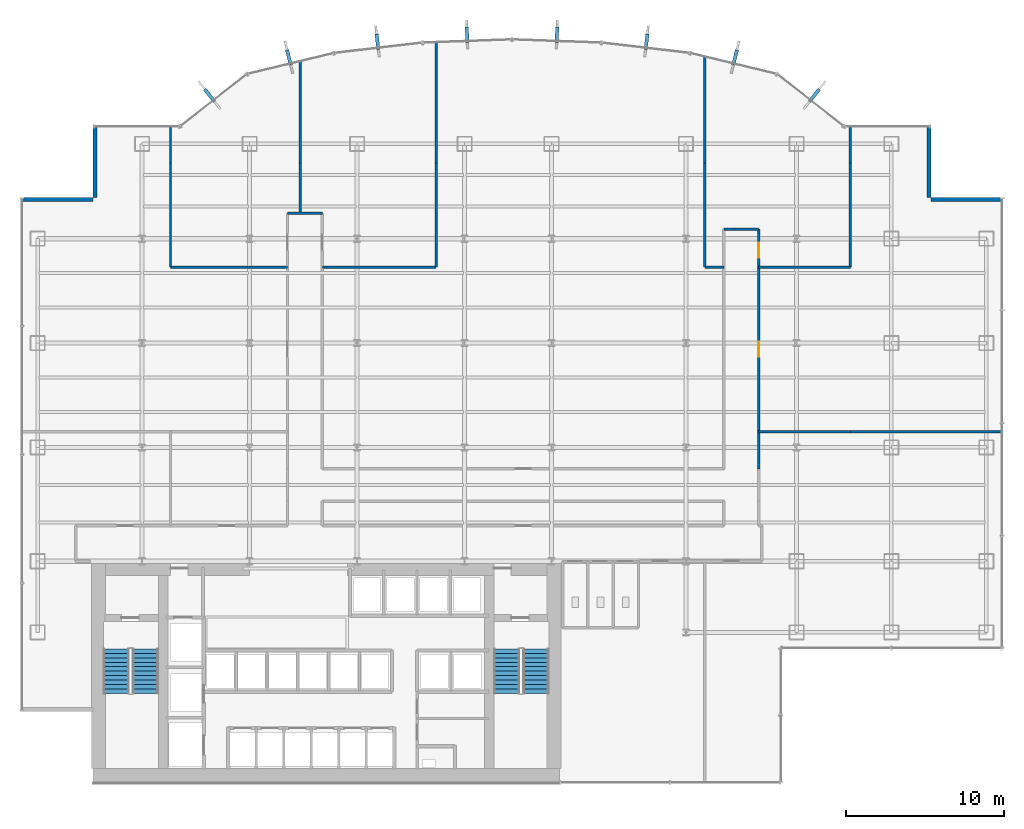
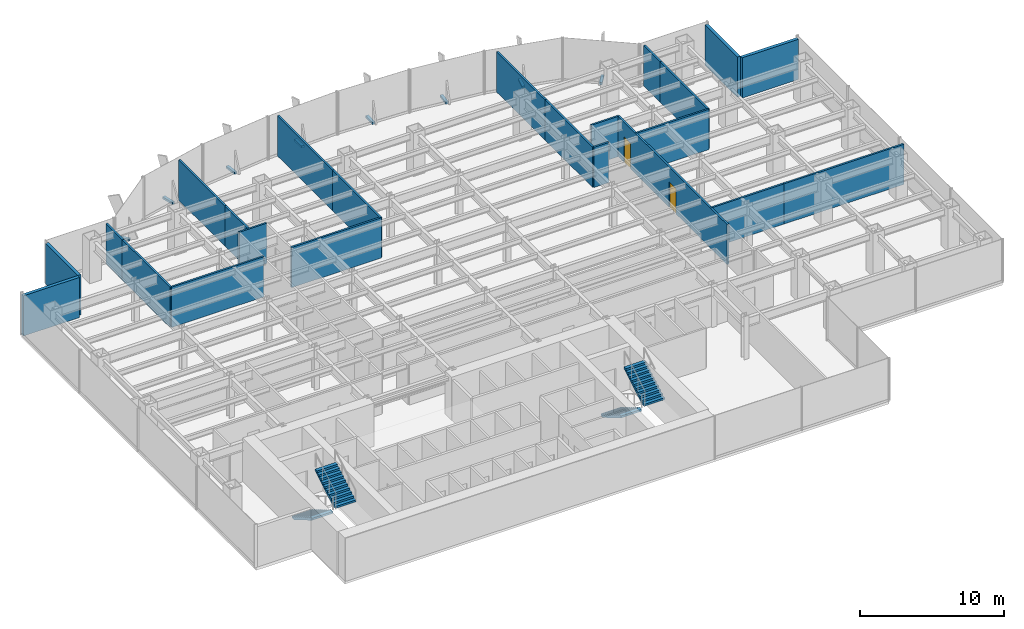
# One storey, part 19 of 22: 23 walls, 8 discrete accessories, 4 stair flights, 2 doors, 2 openings, 2 elements without a shape of their own.
"""IFC4 building model written with IfcOpenShell, lengths in metres."""

import ifcopenshell
import ifcopenshell.guid

model = None  # the IFC model being written
_history = None  # IfcOwnerHistory: only IFC2X3 demands one
_inside = {}  # id of a spatial element -> (the spatial element, [elements in it])
_under = {}  # id of a project, library or spatial element -> (it, [spatial elements below it])
_declared = {}  # id of a project -> (the project, [libraries it declares])
_typed = {}  # id of a type object -> (the type object, [elements of that type])
_made_of = {}  # id of a material, layer set ... -> (it, [elements and type objects made of it])


def new_model(schema):
    """Start an empty IFC model of exactly this schema.

    Asked for "IFC4X3", IfcOpenShell would pick the latest addendum, in which some entities
    have other attributes; the version numbers below select the first issue.
    IFC2X3 requires an IfcOwnerHistory on every rooted entity: one is made here for all.
    """
    global model, _history
    if schema == "IFC4X3":
        model = ifcopenshell.file(schema_version=(4, 3, 0, 0))
    else:
        model = ifcopenshell.file(schema=schema)
    _inside.clear()
    _under.clear()
    _declared.clear()
    _typed.clear()
    _made_of.clear()
    _history = None
    if model.schema == "IFC2X3":
        org = make("IfcOrganization", Name="unknown")
        user = make(
            "IfcPersonAndOrganization",
            ThePerson=make("IfcPerson", FamilyName="unknown"),
            TheOrganization=org,
        )
        app = make(
            "IfcApplication",
            ApplicationDeveloper=org,
            Version="unknown",
            ApplicationFullName="unknown",
            ApplicationIdentifier="unknown",
        )
        _history = make(
            "IfcOwnerHistory",
            OwningUser=user,
            OwningApplication=app,
            ChangeAction="ADDED",
            CreationDate=0,
        )
    return model


def make(cls, **values):
    """One entity of the class cls with the attributes given. An attribute that is None is left unset."""
    return model.create_entity(
        cls, **{name: value for name, value in values.items() if value is not None}
    )


def rooted(cls, **values):
    """An entity with a GlobalId (a new one), such as an element, a storey or a relation."""
    return make(cls, GlobalId=ifcopenshell.guid.new(), OwnerHistory=_history, **values)


def si_unit(unit_type, name, prefix=None):
    """IfcSIUnit, for example si_unit("LENGTHUNIT", "METRE", prefix="MILLI")."""
    return make("IfcSIUnit", UnitType=unit_type, Prefix=prefix, Name=name)


def derived_unit(unit_type, elements):
    """IfcDerivedUnit: a product of units, each with its exponent."""
    return make(
        "IfcDerivedUnit",
        Elements=[
            make("IfcDerivedUnitElement", Unit=unit, Exponent=power)
            for unit, power in elements
        ],
        UnitType=unit_type,
    )


def assignment(units):
    """IfcUnitAssignment: the units of a project."""
    return None if units is None else make("IfcUnitAssignment", Units=units)


def point(xyz):
    """IfcCartesianPoint."""
    return None if xyz is None else make("IfcCartesianPoint", Coordinates=xyz)


def direction(xyz):
    """IfcDirection."""
    return None if xyz is None else make("IfcDirection", DirectionRatios=xyz)


def frame(location, z_axis=None, x_axis=None):
    """IfcAxis2Placement3D, a coordinate frame: its origin and axes. An axis left out is left unset."""
    return make(
        "IfcAxis2Placement3D",
        Location=point(location),
        Axis=direction(z_axis),
        RefDirection=direction(x_axis),
    )


def frame_2d(location, x_axis=None):
    """IfcAxis2Placement2D, a coordinate frame in the plane: its origin and x axis."""
    return make(
        "IfcAxis2Placement2D", Location=point(location), RefDirection=direction(x_axis)
    )


def origin():
    """The frame at (0, 0, 0) with its axes left unset."""
    return frame((0.0, 0.0, 0.0))


def origin_2d():
    """The frame at (0, 0) in the plane with its x axis left unset."""
    return frame_2d((0.0, 0.0))


def place(relative_to, where):
    """IfcLocalPlacement: puts the frame where relative to a parent placement (None: the world)."""
    return make(
        "IfcLocalPlacement", PlacementRelTo=relative_to, RelativePlacement=where
    )


def context(
    kind, dimensions, precision=None, world=None, true_north=None, identifier=None
):
    """IfcGeometricRepresentationContext, for example the 3D "Model" context."""
    return make(
        "IfcGeometricRepresentationContext",
        ContextIdentifier=identifier,
        ContextType=kind,
        CoordinateSpaceDimension=dimensions,
        Precision=precision,
        WorldCoordinateSystem=world,
        TrueNorth=true_north,
    )


def subcontext(parent, identifier, kind, view, scale=None):
    """IfcGeometricRepresentationSubContext, for example "Body" below "Model"."""
    return make(
        "IfcGeometricRepresentationSubContext",
        ContextIdentifier=identifier,
        ContextType=kind,
        ParentContext=parent,
        TargetScale=scale,
        TargetView=view,
    )


def project(units=None, contexts=None):
    """IfcProject with its units and contexts."""
    return rooted(
        "IfcProject",
        Name="project",
        RepresentationContexts=contexts,
        UnitsInContext=assignment(units),
    )


def spatial(cls, under=None, at=None, **own):
    """A site, building, storey or space (cls), placed at a placement, below another one or the project."""
    s = rooted(cls, ObjectPlacement=at, **own)
    if under is not None:
        _under.setdefault(under.id(), (under, []))[1].append(s)
    return s


def polyline(points):
    """IfcPolyline through the points."""
    return make("IfcPolyline", Points=[point(p) for p in points])


def profile(cls, at=None, kind="AREA", **sizes):
    """A parametric profile (cls). Its sizes go by their IFC names, for example OverallWidth=200.0."""
    return make(cls, ProfileType=kind, Position=at, **sizes)


def rectangle(**sizes):
    """IfcRectangleProfileDef."""
    return profile("IfcRectangleProfileDef", **sizes)


def outline(outer, holes=None, kind="AREA"):
    """IfcArbitraryClosedProfileDef: a profile drawn as a closed curve; with holes, ...WithVoids."""
    if holes is None:
        return make("IfcArbitraryClosedProfileDef", ProfileType=kind, OuterCurve=outer)
    return make(
        "IfcArbitraryProfileDefWithVoids",
        ProfileType=kind,
        OuterCurve=outer,
        InnerCurves=holes,
    )


def extrude(swept, where, along, depth):
    """IfcExtrudedAreaSolid: the profile swept, set in the frame where, extruded along a direction by depth."""
    return make(
        "IfcExtrudedAreaSolid",
        SweptArea=swept,
        Position=where,
        ExtrudedDirection=direction(along),
        Depth=depth,
    )


def shape(context_of_items, identifier, shape_type, items):
    """IfcShapeRepresentation: the items that make up one representation, for example the "Body"."""
    return make(
        "IfcShapeRepresentation",
        ContextOfItems=context_of_items,
        RepresentationIdentifier=identifier,
        RepresentationType=shape_type,
        Items=items,
    )


def source(mapping_origin, context_of_items, identifier, shape_type, items):
    """IfcRepresentationMap: a shape defined once, which mapped items show again and again."""
    return make(
        "IfcRepresentationMap",
        MappingOrigin=mapping_origin,
        MappedRepresentation=shape(context_of_items, identifier, shape_type, items),
    )


def transform(
    local_origin,
    x_axis=None,
    y_axis=None,
    z_axis=None,
    scale=None,
    scale2=None,
    scale3=None,
    uniform=True,
):
    """IfcCartesianTransformationOperator3D, or its non-uniform kind. x_axis, y_axis, z_axis: its Axis1, 2, 3."""
    if uniform:
        return make(
            "IfcCartesianTransformationOperator3D",
            Axis1=direction(x_axis),
            Axis2=direction(y_axis),
            LocalOrigin=point(local_origin),
            Scale=scale,
            Axis3=direction(z_axis),
        )
    return make(
        "IfcCartesianTransformationOperator3DnonUniform",
        Axis1=direction(x_axis),
        Axis2=direction(y_axis),
        LocalOrigin=point(local_origin),
        Scale=scale,
        Axis3=direction(z_axis),
        Scale2=scale2,
        Scale3=scale3,
    )


def mapped(mapping_source, mapping_target):
    """IfcMappedItem: shows the shape of a source again, moved by a transform."""
    return make(
        "IfcMappedItem", MappingSource=mapping_source, MappingTarget=mapping_target
    )


def material(Name=None, Category=None):
    """IfcMaterial."""
    return make("IfcMaterial", Name=Name, Category=Category)


def layer(
    of_material, thickness, ventilated=None, Name=None, Category=None, Priority=None
):
    """IfcMaterialLayer: one layer of a wall or slab, of a material (None: an air gap)."""
    return make(
        "IfcMaterialLayer",
        Material=of_material,
        LayerThickness=thickness,
        IsVentilated=ventilated,
        Name=Name,
        Category=Category,
        Priority=Priority,
    )


def layer_set(layers, Name=None):
    """IfcMaterialLayerSet."""
    return make("IfcMaterialLayerSet", MaterialLayers=layers, LayerSetName=Name)


def made_of(thing, what):
    """Note that an element or type object is made of a material, layer set ...; save() writes the relation."""
    if what is not None:
        _made_of.setdefault(what.id(), (what, []))[1].append(thing)
    return thing


def type_object(cls, material=None, **own):
    """A type object (cls), such as IfcWallType, which elements share."""
    return made_of(rooted(cls, **own), material)


def element(
    cls,
    number,
    at=None,
    inside=None,
    cuts=None,
    type_object=None,
    material=None,
    context=None,
    identifier="Body",
    shape_type=None,
    held_by="IfcProductDefinitionShape",
    body=None,
    shapes=None,
    **own,
):
    """One element of the class cls, such as IfcWall. Its Tag is "e" and its number.

    at: its placement. inside: the storey or other place that contains it. cuts: it is an
    opening in that element (IfcRelVoidsElement). A single representation is given by context,
    identifier, shape_type and body (its items); several are given by shapes. held_by: the class
    of the entity that holds the representations. save() writes the other relations.
    """
    e = rooted(cls, Tag="e%d" % number, ObjectPlacement=at, **own)
    if body is not None:
        shapes = [shape(context, identifier, shape_type, body)]
    if shapes is not None:
        e.Representation = make(held_by, Representations=shapes)
    if inside is not None:
        _inside.setdefault(inside.id(), (inside, []))[1].append(e)
    if cuts is not None:
        rooted(
            "IfcRelVoidsElement", RelatingBuildingElement=cuts, RelatedOpeningElement=e
        )
    if type_object is not None:
        _typed.setdefault(type_object.id(), (type_object, []))[1].append(e)
    return made_of(e, material)


def fill(opening, filler):
    """IfcRelFillsElement: the door or window that sits in an opening."""
    return rooted(
        "IfcRelFillsElement",
        RelatingOpeningElement=opening,
        RelatedBuildingElement=filler,
    )


def aggregate(whole, parts):
    """IfcRelAggregates: a whole, such as a stair, and the parts it consists of."""
    return rooted("IfcRelAggregates", RelatingObject=whole, RelatedObjects=parts)


def save(model, path):
    """Write the relations noted so far, then the file.

    IfcRelAggregates (storeys below a building ...), IfcRelContainedInSpatialStructure (elements
    in a storey), IfcRelDefinesByType, IfcRelAssociatesMaterial and IfcRelDeclares: one each for
    every whole, place, type object, material and project.
    """
    for whole, parts in _under.values():
        aggregate(whole, parts)
    for where, things in _inside.values():
        rooted(
            "IfcRelContainedInSpatialStructure",
            RelatedElements=things,
            RelatingStructure=where,
        )
    for kind, things in _typed.values():
        rooted("IfcRelDefinesByType", RelatedObjects=things, RelatingType=kind)
    for what, things in _made_of.values():
        rooted("IfcRelAssociatesMaterial", RelatedObjects=things, RelatingMaterial=what)
    for by, libraries in _declared.values():
        rooted("IfcRelDeclares", RelatingContext=by, RelatedDefinitions=libraries)
    model.write(path)


model = new_model("IFC4")

# Units and contexts
model_context = context("Model", 3, precision=1e-05, world=origin(), true_north=direction((0.0, 1.0)))
body_context = subcontext(model_context, "Body", "Model", "MODEL_VIEW")
ifc_project = project(units=[si_unit("LENGTHUNIT", "METRE"), si_unit("AREAUNIT", "SQUARE_METRE"), si_unit("VOLUMEUNIT", "CUBIC_METRE"), si_unit("PLANEANGLEUNIT", "RADIAN"), si_unit("MASSUNIT", "GRAM", prefix="KILO"), derived_unit("THERMALTRANSMITTANCEUNIT", [(si_unit("POWERUNIT", "WATT"), 1), (si_unit("LENGTHUNIT", "METRE"), -2), (si_unit("THERMODYNAMICTEMPERATUREUNIT", "KELVIN"), -1)])], contexts=[model_context])

# Site, building, storey
site_placement = place(None, origin())
site = spatial("IfcSite", under=ifc_project, at=site_placement, CompositionType="ELEMENT")
building_placement = place(site_placement, origin())
building = spatial("IfcBuilding", under=site, at=building_placement, Name="Skarnbrae Concourse Arena and Tower", CompositionType="ELEMENT")
storey_placement = place(building_placement, frame((0.0, 0.0, 39.800048828125)))
storey = spatial("IfcBuildingStorey", under=building, at=storey_placement, Name="L08", CompositionType="ELEMENT", Elevation=39.800048828125)

# Walls
ifc_material_1 = material(Name="Precast concrete 40 MPa (C40/50)", Category="concrete")
ifc_layer_1 = layer(ifc_material_1, 0.25)
ifc_layer_set_1 = layer_set([ifc_layer_1], Name="Precast concrete 40 MPa (C40/50)")
wall_type_1 = type_object("IfcWallType", Name="WALL-EXT-SPANDREL-250", PredefinedType="STANDARD", material=ifc_layer_set_1)
shared_shape_1 = source(origin(), body_context, "Body", "SweptSolid", [
    extrude(rectangle(XDim=4.5, YDim=0.25, at=frame_2d((2.25, 0.0))), origin(), (0.0, 0.0, 1.0), 3.39990234375),
])
for number, where, z_axis, x_axis, name in (
    (1, (62.0, 36.875, 0.0), (0.0, 0.0, 1.0), (-1.0, 0.0, 0.0), "L08 Notched corner insulated return wall 05"),
    (2, (57.375, 37.0, 0.0), (0.0, 0.0, 1.0), (0.0, 1.0, 0.0), "L08 Notched corner insulated return wall 06"),
    (3, (4.625, 41.5, 0.0), (0.0, 0.0, 1.0), (0.0, -1.0, 0.0), "L08 Notched corner insulated return wall 17"),
    (4, (4.5, 36.875, 0.0), (0.0, 0.0, 1.0), (-1.0, 0.0, 0.0), "L08 Notched corner insulated return wall 18"),
):
    element("IfcWall", number, at=place(storey_placement, frame(where, z_axis=z_axis, x_axis=x_axis)), inside=storey, type_object=wall_type_1, Name=name, PredefinedType="STANDARD", context=body_context, shape_type="MappedRepresentation", body=[
        mapped(shared_shape_1, transform((0.0, 0.0, 0.0))),
    ])
ifc_material_2 = material(Name="Gypsum board on cold-formed steel studs", Category="steel")
ifc_layer_2 = layer(ifc_material_2, 0.14990234375)
ifc_layer_set_2 = layer_set([ifc_layer_2], Name="Gypsum board on cold-formed steel studs")
wall_type_2 = type_object("IfcWallType", Name="WALL-PART-150-1HR", PredefinedType="PARTITIONING", material=ifc_layer_set_2)
shared_shape_2 = source(origin(), body_context, "Body", "SweptSolid", [
    extrude(rectangle(XDim=2.2001953125, YDim=0.14990234375, at=frame_2d((1.10009765625, 0.0))), origin(), (0.0, 0.0, 1.0), 3.39990234375),
])
wall_1_placement = place(storey_placement, frame((44.39990234375, 35.0, 0.0), z_axis=(0.0, 0.0, 1.0), x_axis=(1.0, 0.0, 0.0)))
element("IfcWall", 5, at=wall_1_placement, inside=storey, type_object=wall_type_2, Name="L08 Interior partition wall W-L08-COR-11", PredefinedType="PARTITIONING", context=body_context, shape_type="MappedRepresentation", body=[
    mapped(shared_shape_2, transform((0.0, 0.0, 0.0))),
])
shared_shape_3 = source(origin(), body_context, "Body", "SweptSolid", [
    extrude(rectangle(XDim=2.199951171875, YDim=0.14990234375, at=frame_2d((1.10009765625, 0.0))), origin(), (0.0, 0.0, 1.0), 3.39990234375),
])
wall_2_placement = place(storey_placement, frame((16.800048828125, 36.0, 0.0), z_axis=(0.0, 0.0, 1.0), x_axis=(1.0, 0.0, 0.0)))
element("IfcWall", 6, at=wall_2_placement, inside=storey, type_object=wall_type_2, Name="L08 Interior partition wall W-L08-COR-07", PredefinedType="PARTITIONING", context=body_context, shape_type="MappedRepresentation", body=[
    mapped(shared_shape_3, transform((0.0, 0.0, 0.0))),
])

# Wall, openings, doors
shared_shape_4 = source(origin(), body_context, "Body", "SweptSolid", [
    extrude(rectangle(XDim=15.14990234375, YDim=0.14990234375, at=frame_2d((7.574951171875, 0.0))), origin(), (0.0, 0.0, 1.0), 3.39990234375),
])
wall_3_placement = place(storey_placement, frame((46.60009765625, 35.0, 0.0), z_axis=(0.0, 0.0, 1.0), x_axis=(0.0, -1.0, 0.0)))
wall_3 = element("IfcWall", 7, at=wall_3_placement, inside=storey, type_object=wall_type_2, Name="L08 Interior partition wall W-L08-COR-12", PredefinedType="PARTITIONING", context=body_context, shape_type="MappedRepresentation", body=[
    mapped(shared_shape_4, transform((0.0, 0.0, 0.0))),
])
opening_1_placement = place(wall_3_placement, frame((0.85498046875, 0.0, 0.0)))
opening_1 = element("IfcOpeningElement", 8, at=opening_1_placement, cuts=wall_3, Name="Opening DT-04", PredefinedType="OPENING", context=body_context, shape_type="SweptSolid", body=[
    extrude(rectangle(XDim=0.949951171875, YDim=2.14990234375, at=frame_2d((0.47509765625, 1.074951171875))), frame((0.0, 0.0849609375, 0.0), z_axis=(0.0, -1.0, 0.0), x_axis=(1.0, 0.0, 0.0)), (0.0, 0.0, 1.0), 0.169921875),
])
opening_2_placement = place(wall_3_placement, frame((7.125, 0.0, 0.0)))
opening_2 = element("IfcOpeningElement", 9, at=opening_2_placement, cuts=wall_3, Name="Opening DT-04", PredefinedType="OPENING", context=body_context, shape_type="SweptSolid", body=[
    extrude(rectangle(XDim=0.949951171875, YDim=2.14990234375, at=frame_2d((0.47509765625, 1.074951171875))), frame((0.0, 0.0849609375, 0.0), z_axis=(0.0, -1.0, 0.0), x_axis=(1.0, 0.0, 0.0)), (0.0, 0.0, 1.0), 0.169921875),
])
ifc_material_3 = material(Name="Steel CSA G40.21 350W", Category="steel")
door_type = type_object("IfcDoorType", Name="DOOR-INT-950-45M", OperationType="NOTDEFINED", PredefinedType="DOOR", material=ifc_material_3)
shared_shape_5 = source(origin(), body_context, "Body", "SweptSolid", [
    extrude(rectangle(XDim=0.949951171875, YDim=2.14990234375, at=frame_2d((0.47509765625, 1.074951171875))), frame((0.0, 0.02490234375, 0.0), z_axis=(0.0, -1.0, 0.0), x_axis=(1.0, 0.0, 0.0)), (0.0, 0.0, 1.0), 0.050048828125),
])
door_1_placement = place(opening_1_placement, origin())
door_1 = element("IfcDoor", 10, at=door_1_placement, inside=storey, type_object=door_type, Name="D-0410 L08 Suite Door 09", OperationType="SINGLE_SWING_RIGHT", OverallHeight=2.14990234375, OverallWidth=0.949951171875, PredefinedType="DOOR", context=body_context, shape_type="MappedRepresentation", body=[
    mapped(shared_shape_5, transform((0.0, 0.0, 0.0))),
])
fill(opening_1, door_1)
door_2_placement = place(opening_2_placement, origin())
door_2 = element("IfcDoor", 11, at=door_2_placement, inside=storey, type_object=door_type, Name="D-0412 L08 Suite Door 11", OperationType="SINGLE_SWING_RIGHT", OverallHeight=2.14990234375, OverallWidth=0.949951171875, PredefinedType="DOOR", context=body_context, shape_type="MappedRepresentation", body=[
    mapped(shared_shape_5, transform((0.0, 0.0, 0.0))),
])
fill(opening_2, door_2)

# Walls
ifc_layer_3 = layer(ifc_material_2, 0.14990234375)
ifc_layer_set_3 = layer_set([ifc_layer_3], Name="Gypsum board on cold-formed steel studs")
wall_type_3 = type_object("IfcWallType", Name="WALL-PART-150", PredefinedType="PARTITIONING", material=ifc_layer_set_3)
shared_shape_6 = source(origin(), body_context, "Body", "SweptSolid", [
    extrude(rectangle(XDim=7.400146484375, YDim=0.14990234375, at=frame_2d((3.7001953125, 0.0))), origin(), (0.0, 0.0, 1.0), 3.39990234375),
])
wall_4_placement = place(storey_placement, frame((9.39990234375, 32.60009765625, 0.0), z_axis=(0.0, 0.0, 1.0), x_axis=(1.0, 0.0, 0.0)))
element("IfcWall", 12, at=wall_4_placement, inside=storey, type_object=wall_type_3, Name="L08 Interior partition wall W-L08-DEM-27", PredefinedType="PARTITIONING", context=body_context, shape_type="MappedRepresentation", body=[
    mapped(shared_shape_6, transform((0.0, 0.0, 0.0))),
])
shared_shape_7 = source(origin(), body_context, "Body", "SweptSolid", [
    extrude(rectangle(XDim=2.280029296875, YDim=0.14990234375, at=frame_2d((1.14013671875, 0.0))), origin(), (0.0, 0.0, 1.0), 3.39990234375),
])
for number, where, z_axis, x_axis, name in (
    (13, (9.39990234375, 41.47998046875, 0.0), (0.0, 0.0, 1.0), (0.0, -1.0, 0.0), "L08 Interior partition wall W-L08-DEM-25"),
    (14, (52.39990234375, 41.47998046875, 0.0), (0.0, 0.0, 1.0), (0.0, -1.0, 0.0), "L08 Interior partition wall W-L08-DEM-39"),
):
    element("IfcWall", number, at=place(storey_placement, frame(where, z_axis=z_axis, x_axis=x_axis)), inside=storey, type_object=wall_type_3, Name=name, PredefinedType="PARTITIONING", context=body_context, shape_type="MappedRepresentation", body=[
        mapped(shared_shape_7, transform((0.0, 0.0, 0.0))),
    ])
shared_shape_8 = source(origin(), body_context, "Body", "SweptSolid", [
    extrude(rectangle(XDim=6.599853515625, YDim=0.14990234375, at=frame_2d((3.2998046875, 0.0))), origin(), (0.0, 0.0, 1.0), 3.39990234375),
])
for number, where, z_axis, x_axis, name in (
    (15, (9.39990234375, 39.199951171875, 0.0), (0.0, 0.0, 1.0), (0.0, -1.0, 0.0), "L08 Interior partition wall W-L08-DEM-26"),
    (16, (26.199951171875, 39.199951171875, 0.0), (0.0, 0.0, 1.0), (0.0, -1.0, 0.0), "L08 Interior partition wall W-L08-DEM-31"),
    (17, (43.199951171875, 39.199951171875, 0.0), (0.0, 0.0, 1.0), (0.0, -1.0, 0.0), "L08 Interior partition wall W-L08-DEM-35"),
    (18, (52.39990234375, 39.199951171875, 0.0), (0.0, 0.0, 1.0), (0.0, -1.0, 0.0), "L08 Interior partition wall W-L08-DEM-40"),
):
    element("IfcWall", number, at=place(storey_placement, frame(where, z_axis=z_axis, x_axis=x_axis)), inside=storey, type_object=wall_type_3, Name=name, PredefinedType="PARTITIONING", context=body_context, shape_type="MappedRepresentation", body=[
        mapped(shared_shape_8, transform((0.0, 0.0, 0.0))),
    ])
shared_shape_9 = source(origin(), body_context, "Body", "SweptSolid", [
    extrude(rectangle(XDim=6.4052734375, YDim=0.14990234375, at=frame_2d((3.20263671875, 0.0))), origin(), (0.0, 0.0, 1.0), 3.39990234375),
])
wall_5_placement = place(storey_placement, frame((17.60009765625, 45.605224609375, 0.0), z_axis=(0.0, 0.0, 1.0), x_axis=(0.0, -1.0, 0.0)))
element("IfcWall", 19, at=wall_5_placement, inside=storey, type_object=wall_type_3, Name="L08 Interior partition wall W-L08-DEM-28", PredefinedType="PARTITIONING", context=body_context, shape_type="MappedRepresentation", body=[
    mapped(shared_shape_9, transform((0.0, 0.0, 0.0))),
])
shared_shape_10 = source(origin(), body_context, "Body", "SweptSolid", [
    extrude(rectangle(XDim=3.199951171875, YDim=0.14990234375, at=frame_2d((1.60009765625, 0.0))), origin(), (0.0, 0.0, 1.0), 3.39990234375),
])
wall_6_placement = place(storey_placement, frame((17.60009765625, 39.199951171875, 0.0), z_axis=(0.0, 0.0, 1.0), x_axis=(0.0, -1.0, 0.0)))
element("IfcWall", 20, at=wall_6_placement, inside=storey, type_object=wall_type_3, Name="L08 Interior partition wall W-L08-DEM-29", PredefinedType="PARTITIONING", context=body_context, shape_type="MappedRepresentation", body=[
    mapped(shared_shape_10, transform((0.0, 0.0, 0.0))),
])
shared_shape_11 = source(origin(), body_context, "Body", "SweptSolid", [
    extrude(rectangle(XDim=7.607666015625, YDim=0.14990234375, at=frame_2d((3.8037109375, 0.0))), origin(), (0.0, 0.0, 1.0), 3.39990234375),
])
wall_7_placement = place(storey_placement, frame((26.199951171875, 46.8076171875, 0.0), z_axis=(0.0, 0.0, 1.0), x_axis=(0.0, -1.0, 0.0)))
element("IfcWall", 21, at=wall_7_placement, inside=storey, type_object=wall_type_3, Name="L08 Interior partition wall W-L08-DEM-30", PredefinedType="PARTITIONING", context=body_context, shape_type="MappedRepresentation", body=[
    mapped(shared_shape_11, transform((0.0, 0.0, 0.0))),
])
shared_shape_12 = source(origin(), body_context, "Body", "SweptSolid", [
    extrude(rectangle(XDim=7.199951171875, YDim=0.14990234375, at=frame_2d((3.60009765625, 0.0))), origin(), (0.0, 0.0, 1.0), 3.39990234375),
])
wall_8_placement = place(storey_placement, frame((26.199951171875, 32.60009765625, 0.0), z_axis=(0.0, 0.0, 1.0), x_axis=(-1.0, 0.0, 0.0)))
element("IfcWall", 22, at=wall_8_placement, inside=storey, type_object=wall_type_3, Name="L08 Interior partition wall W-L08-DEM-32", PredefinedType="PARTITIONING", context=body_context, shape_type="MappedRepresentation", body=[
    mapped(shared_shape_12, transform((0.0, 0.0, 0.0))),
])
shared_shape_13 = source(origin(), body_context, "Body", "SweptSolid", [
    extrude(rectangle(XDim=6.695556640625, YDim=0.14990234375, at=frame_2d((3.34765625, 0.0))), origin(), (0.0, 0.0, 1.0), 3.39990234375),
])
wall_9_placement = place(storey_placement, frame((43.199951171875, 45.8955078125, 0.0), z_axis=(0.0, 0.0, 1.0), x_axis=(0.0, -1.0, 0.0)))
element("IfcWall", 23, at=wall_9_placement, inside=storey, type_object=wall_type_3, Name="L08 Interior partition wall W-L08-DEM-34", PredefinedType="PARTITIONING", context=body_context, shape_type="MappedRepresentation", body=[
    mapped(shared_shape_13, transform((0.0, 0.0, 0.0))),
])
shared_shape_14 = source(origin(), body_context, "Body", "SweptSolid", [
    extrude(rectangle(XDim=1.199951171875, YDim=0.14990234375, at=frame_2d((0.60009765625, 0.0))), origin(), (0.0, 0.0, 1.0), 3.39990234375),
])
wall_10_placement = place(storey_placement, frame((43.199951171875, 32.60009765625, 0.0), z_axis=(0.0, 0.0, 1.0), x_axis=(1.0, 0.0, 0.0)))
element("IfcWall", 24, at=wall_10_placement, inside=storey, type_object=wall_type_3, Name="L08 Interior partition wall W-L08-DEM-36", PredefinedType="PARTITIONING", context=body_context, shape_type="MappedRepresentation", body=[
    mapped(shared_shape_14, transform((0.0, 0.0, 0.0))),
])
shared_shape_15 = source(origin(), body_context, "Body", "SweptSolid", [
    extrude(rectangle(XDim=5.7998046875, YDim=0.14990234375, at=frame_2d((2.89990234375, 0.0))), origin(), (0.0, 0.0, 1.0), 3.39990234375),
])
for number, where, z_axis, x_axis, name in (
    (25, (46.60009765625, 22.199951171875, 0.0), (0.0, 0.0, 1.0), (1.0, 0.0, 0.0), "L08 Interior partition wall W-L08-DEM-37"),
    (26, (52.39990234375, 32.60009765625, 0.0), (0.0, 0.0, 1.0), (-1.0, 0.0, 0.0), "L08 Interior partition wall W-L08-DEM-41"),
):
    element("IfcWall", number, at=place(storey_placement, frame(where, z_axis=z_axis, x_axis=x_axis)), inside=storey, type_object=wall_type_3, Name=name, PredefinedType="PARTITIONING", context=body_context, shape_type="MappedRepresentation", body=[
        mapped(shared_shape_15, transform((0.0, 0.0, 0.0))),
    ])
shared_shape_16 = source(origin(), body_context, "Body", "SweptSolid", [
    extrude(rectangle(XDim=9.580078125, YDim=0.14990234375, at=frame_2d((4.7900390625, 0.0))), origin(), (0.0, 0.0, 1.0), 3.39990234375),
])
wall_11_placement = place(storey_placement, frame((52.39990234375, 22.199951171875, 0.0), z_axis=(0.0, 0.0, 1.0), x_axis=(1.0, 0.0, 0.0)))
element("IfcWall", 27, at=wall_11_placement, inside=storey, type_object=wall_type_3, Name="L08 Interior partition wall W-L08-DEM-38", PredefinedType="PARTITIONING", context=body_context, shape_type="MappedRepresentation", body=[
    mapped(shared_shape_16, transform((0.0, 0.0, 0.0))),
])

# Stair, stair flights
ifc_material_4 = material(Name="Concrete 40 MPa (C40/50)", Category="concrete")
stair_type = type_object("IfcStairType", Name="STAIR-DOGLEG-1650", PredefinedType="HALF_TURN_STAIR", material=ifc_material_4)
stair_1_placement = place(storey_placement, origin())
stair_1 = element("IfcStair", 28, at=stair_1_placement, inside=storey, type_object=stair_type, Name="L08 Protected Exit Stair ST-1", PredefinedType="HALF_TURN_STAIR")
stair_flight_type = type_object("IfcStairFlightType", Name="FLIGHT-STRAIGHT-1650", PredefinedType="STRAIGHT", material=ifc_material_4)
shared_shape_17 = source(origin(), body_context, "Body", "SweptSolid", [
    extrude(outline(polyline([(0.0, 0.0), (0.0, 0.166015625), (0.280029296875, 0.166015625), (0.280029296875, 0.331787109375), (0.56005859375, 0.331787109375), (0.56005859375, 0.497802734375), (0.840087890625, 0.497802734375), (0.840087890625, 0.66357421875), (1.1201171875, 0.66357421875), (1.1201171875, 0.82958984375), (1.39990234375, 0.82958984375), (1.39990234375, 0.995361328125), (1.679931640625, 0.995361328125), (1.679931640625, 1.161376953125), (1.9599609375, 1.161376953125), (1.9599609375, 1.327392578125), (2.239990234375, 1.327392578125), (2.239990234375, 1.4931640625), (2.52001953125, 1.4931640625), (2.52001953125, 1.6591796875), (2.800048828125, 1.6591796875), (2.800048828125, 1.824951171875), (2.800048828125, 1.48486328125), (0.2939453125, 0.0), (0.0, 0.0)])), frame((0.0, 0.824951171875, 0.0), z_axis=(0.0, -1.0, 0.0), x_axis=(1.0, 0.0, 0.0)), (0.0, 0.0, 1.0), 1.64990234375),
])
stair_flight_1_placement = place(storey_placement, frame((5.97509765625, 8.449951171875, 0.0), z_axis=(0.0, 0.0, 1.0), x_axis=(0.0, -1.0, 0.0)))
stair_flight_1 = element("IfcStairFlight", 29, at=stair_flight_1_placement, type_object=stair_flight_type, Name="ST-1 flight 1", NumberOfRisers=11, NumberOfTreads=10, PredefinedType="STRAIGHT", RiserHeight=0.165909091, TreadLength=0.28, context=body_context, shape_type="MappedRepresentation", body=[
    mapped(shared_shape_17, transform((0.0, 0.0, 0.0))),
])
stair_flight_2_placement = place(storey_placement, frame((7.824951171875, 5.64990234375, 1.824951171875), z_axis=(0.0, 0.0, 1.0), x_axis=(0.0, 1.0, 0.0)))
stair_flight_2 = element("IfcStairFlight", 30, at=stair_flight_2_placement, type_object=stair_flight_type, Name="ST-1 flight 2", NumberOfRisers=11, NumberOfTreads=10, PredefinedType="STRAIGHT", RiserHeight=0.165909091, TreadLength=0.28, context=body_context, shape_type="MappedRepresentation", body=[
    mapped(shared_shape_17, transform((0.0, 0.0, 0.0))),
])
aggregate(stair_1, [stair_flight_1, stair_flight_2])

stair_2_placement = place(storey_placement, origin())
stair_2 = element("IfcStair", 31, at=stair_2_placement, inside=storey, type_object=stair_type, Name="L08 Protected Exit Stair ST-2", PredefinedType="HALF_TURN_STAIR")
stair_flight_3_placement = place(storey_placement, frame((30.675048828125, 8.449951171875, 0.0), z_axis=(0.0, 0.0, 1.0), x_axis=(0.0, -1.0, 0.0)))
stair_flight_3 = element("IfcStairFlight", 32, at=stair_flight_3_placement, type_object=stair_flight_type, Name="ST-2 flight 1", NumberOfRisers=11, NumberOfTreads=10, PredefinedType="STRAIGHT", RiserHeight=0.165909091, TreadLength=0.28, context=body_context, shape_type="MappedRepresentation", body=[
    mapped(shared_shape_17, transform((0.0, 0.0, 0.0))),
])
stair_flight_4_placement = place(storey_placement, frame((32.52490234375, 5.64990234375, 1.824951171875), z_axis=(0.0, 0.0, 1.0), x_axis=(0.0, 1.0, 0.0)))
stair_flight_4 = element("IfcStairFlight", 33, at=stair_flight_4_placement, type_object=stair_flight_type, Name="ST-2 flight 2", NumberOfRisers=11, NumberOfTreads=10, PredefinedType="STRAIGHT", RiserHeight=0.165909091, TreadLength=0.28, context=body_context, shape_type="MappedRepresentation", body=[
    mapped(shared_shape_17, transform((0.0, 0.0, 0.0))),
])
aggregate(stair_2, [stair_flight_3, stair_flight_4])

# Discrete accessories
ifc_material_5 = material(Name="Bronze anodised aluminium 6063-T6", Category="aluminium")
discrete_accessory_type = type_object("IfcDiscreteAccessoryType", Name="ACC-FIN-BRACKET", PredefinedType="BRACKET", material=ifc_material_5)
shared_shape_18 = source(origin(), body_context, "Body", "SweptSolid", [
    extrude(rectangle(XDim=0.219970703125, YDim=0.97998046875, at=origin_2d()), origin(), (0.0, 0.0, 1.0), 0.179931640625),
])
for number, where, z_axis, x_axis, name in (
    (34, (50.129638671875, 43.470947265625, -0.02978515625), (0.0, 0.0, 1.0), (0.787656027369, -0.616115234797, 0.0), "L08 Bronze fin foot support bracket 08"),
    (35, (45.11328125, 45.864990234375, -0.02978515625), (0.0, 0.0, 1.0), (0.971973311258, -0.235091221021, 0.0), "L08 Bronze fin foot support bracket 09"),
    (36, (39.509521484375, 46.865966796875, -0.02978515625), (0.0, 0.0, 1.0), (0.993243759876, -0.116046686587, 0.0), "L08 Bronze fin foot support bracket 10"),
    (37, (33.84130859375, 47.298095703125, -0.02978515625), (0.0, 0.0, 1.0), (0.999355613141, -0.035893710914, 0.0), "L08 Bronze fin foot support bracket 11"),
    (38, (28.15869140625, 47.298095703125, -0.02978515625), (0.0, 0.0, 1.0), (0.999355613141, 0.035893710914, 0.0), "L08 Bronze fin foot support bracket 12"),
    (39, (22.490478515625, 46.865966796875, -0.02978515625), (0.0, 0.0, 1.0), (0.993243759876, 0.116046686587, 0.0), "L08 Bronze fin foot support bracket 13"),
    (40, (16.88671875, 45.864990234375, -0.02978515625), (0.0, 0.0, 1.0), (0.971973311258, 0.235091221021, 0.0), "L08 Bronze fin foot support bracket 14"),
    (41, (11.870361328125, 43.470947265625, -0.02978515625), (0.0, 0.0, 1.0), (0.787656027369, 0.616115234797, 0.0), "L08 Bronze fin foot support bracket 15"),
):
    element("IfcDiscreteAccessory", number, at=place(storey_placement, frame(where, z_axis=z_axis, x_axis=x_axis)), inside=storey, type_object=discrete_accessory_type, Name=name, PredefinedType="BRACKET", context=body_context, shape_type="MappedRepresentation", body=[
        mapped(shared_shape_18, transform((0.0, 0.0, 0.0))),
    ])

save(model, "model.ifc")
